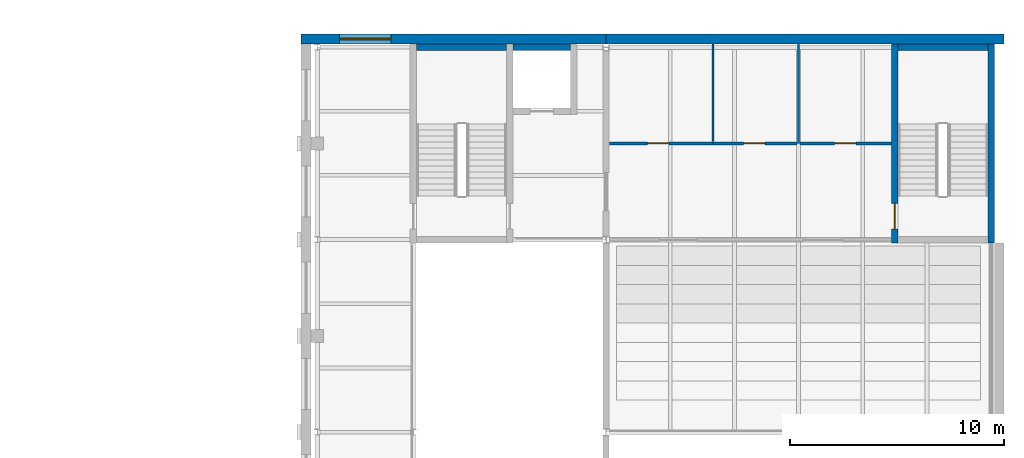
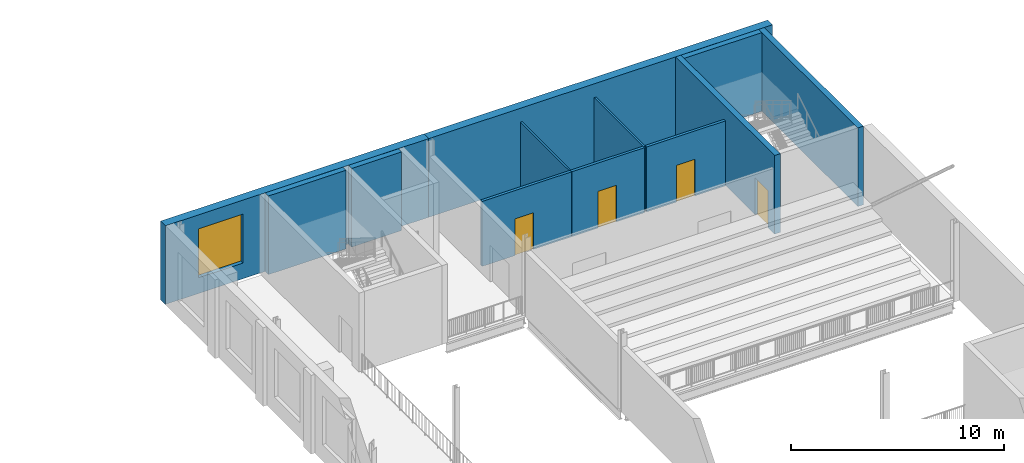
# One storey, part 47 of 74: 12 walls, 4 doors, 1 window, 5 openings.
"""IFC4 building model written with IfcOpenShell, lengths in metres."""

from ifc_helpers import new_model, si_unit, direction, frame, frame_2d, origin, place, context, subcontext, project, spatial, rectangle, extrude, material, layer, layer_set, type_object, element, fill, save


model = new_model("IFC4")

# Units and contexts
model_context = context("Model", 3, precision=1e-05, world=origin(), true_north=direction((0.0, 1.0)))
body_context = subcontext(model_context, "Body", "Model", "MODEL_VIEW")
ifc_project = project(units=[si_unit("LENGTHUNIT", "METRE"), si_unit("AREAUNIT", "SQUARE_METRE"), si_unit("VOLUMEUNIT", "CUBIC_METRE"), si_unit("PLANEANGLEUNIT", "RADIAN"), si_unit("MASSUNIT", "GRAM", prefix="KILO")], contexts=[model_context])

# Site, building, storey
site_placement = place(None, origin())
site = spatial("IfcSite", under=ifc_project, at=site_placement, CompositionType="ELEMENT")
building_placement = place(site_placement, origin())
building = spatial("IfcBuilding", under=site, at=building_placement, Name="Hortulan Conservatory and Botanical Research Centre", CompositionType="ELEMENT")
storey_placement = place(building_placement, frame((0.0, 0.0, 6.0)))
storey = spatial("IfcBuildingStorey", under=building, at=storey_placement, Name="L01", CompositionType="ELEMENT", Elevation=6.0)

# Wall, opening, door
ifc_material_1 = material(Name="Concrete N40 (40 MPa, AS 3600)", Category="concrete")
ifc_layer_1 = layer(ifc_material_1, 0.300048828125)
ifc_layer_set_1 = layer_set([ifc_layer_1], Name="Core Wall 300 N40 FRL 120/120/120")
wall_type_1 = type_object("IfcWallType", Name="Core Wall 300 N40 FRL 120/120/120", PredefinedType="SHEAR", material=ifc_layer_set_1)
wall_1_placement = place(storey_placement, frame((103.5, 62.85009765625, 0.0), z_axis=(0.0, 0.0, 1.0), x_axis=(0.0, 1.0, 0.0)))
wall_1 = element("IfcWall", 1, at=wall_1_placement, inside=storey, type_object=wall_type_1, Name="Reinforced concrete shaft wall", PredefinedType="SHEAR", context=body_context, shape_type="SweptSolid", body=[
    extrude(rectangle(XDim=9.2998046875, YDim=0.300048828125, at=frame_2d((4.64990234375, 0.0))), origin(), (0.0, 0.0, 1.0), 4.5),
])
opening_1_placement = place(wall_1_placement, frame((0.64990234375, 0.0, 0.0)))
opening_1 = element("IfcOpeningElement", 2, at=opening_1_placement, cuts=wall_1, Name="Opening DT5", PredefinedType="OPENING", context=body_context, shape_type="SweptSolid", body=[
    extrude(rectangle(XDim=1.199951171875, YDim=2.10009765625, at=frame_2d((0.60009765625, 1.050048828125))), frame((0.0, 0.159912109375, 0.0), z_axis=(0.0, -1.0, 0.0), x_axis=(1.0, 0.0, 0.0)), (0.0, 0.0, 1.0), 0.320068359375),
])
ifc_material_2 = material(Name="Steel door leaf, insulated", Category="steel")
door_type_1 = type_object("IfcDoorType", Name="Stair Door 1200x2100 FRL -/120/30", OperationType="NOTDEFINED", PredefinedType="DOOR", material=ifc_material_2)
door_1_placement = place(opening_1_placement, frame((1.199951171875, 0.0, 0.0), z_axis=(0.0, 0.0, 1.0), x_axis=(-1.0, 0.0, 0.0)))
door_1 = element("IfcDoor", 3, at=door_1_placement, inside=storey, type_object=door_type_1, Name="Stair door A3 L01 W to Circle Rear Lobby", OperationType="SINGLE_SWING_RIGHT", OverallHeight=2.10009765625, OverallWidth=1.199951171875, PredefinedType="DOOR", context=body_context, shape_type="SweptSolid", body=[
    extrude(rectangle(XDim=1.199951171875, YDim=2.10009765625, at=frame_2d((0.60009765625, 1.050048828125))), frame((0.0, 0.02490234375, 0.0), z_axis=(0.0, -1.0, 0.0), x_axis=(1.0, 0.0, 0.0)), (0.0, 0.0, 1.0), 0.050048828125),
])
fill(opening_1, door_1)

# Walls
wall_2_placement = place(storey_placement, frame((108.0, 62.85009765625, 0.0), z_axis=(0.0, 0.0, 1.0), x_axis=(0.0, 1.0, 0.0)))
element("IfcWall", 4, at=wall_2_placement, inside=storey, type_object=wall_type_1, Name="Reinforced concrete shaft wall", PredefinedType="SHEAR", context=body_context, shape_type="SweptSolid", body=[
    extrude(rectangle(XDim=9.2998046875, YDim=0.300048828125, at=frame_2d((4.64990234375, 0.0))), origin(), (0.0, 0.0, 1.0), 4.5),
])
wall_3_placement = place(storey_placement, frame((81.14990234375, 72.0, 0.0), z_axis=(0.0, 0.0, 1.0), x_axis=(1.0, 0.0, 0.0)))
element("IfcWall", 5, at=wall_3_placement, inside=storey, type_object=wall_type_1, Name="Reinforced concrete shaft wall", PredefinedType="SHEAR", context=body_context, shape_type="SweptSolid", body=[
    extrude(rectangle(XDim=4.2001953125, YDim=0.300048828125, at=frame_2d((2.10009765625, 0.0))), origin(), (0.0, 0.0, 1.0), 4.5),
])
wall_4_placement = place(storey_placement, frame((85.64990234375, 72.0, 0.0), z_axis=(0.0, 0.0, 1.0), x_axis=(1.0, 0.0, 0.0)))
element("IfcWall", 6, at=wall_4_placement, inside=storey, type_object=wall_type_1, Name="Reinforced concrete shaft wall", PredefinedType="SHEAR", context=body_context, shape_type="SweptSolid", body=[
    extrude(rectangle(XDim=2.7001953125, YDim=0.300048828125, at=frame_2d((1.35009765625, 0.0))), origin(), (0.0, 0.0, 1.0), 4.5),
])
wall_5_placement = place(storey_placement, frame((103.64990234375, 72.0, 0.0), z_axis=(0.0, 0.0, 1.0), x_axis=(1.0, 0.0, 0.0)))
element("IfcWall", 7, at=wall_5_placement, inside=storey, type_object=wall_type_1, Name="Reinforced concrete shaft wall", PredefinedType="SHEAR", context=body_context, shape_type="SweptSolid", body=[
    extrude(rectangle(XDim=4.2001953125, YDim=0.300048828125, at=frame_2d((2.10009765625, 0.0))), origin(), (0.0, 0.0, 1.0), 4.5),
])

# Wall, opening, door
ifc_material_3 = material(Name="Fire-rated plasterboard on steel studs", Category="steel")
ifc_layer_2 = layer(ifc_material_3, 0.14990234375)
ifc_layer_set_2 = layer_set([ifc_layer_2], Name="Lobby Partition 150")
wall_type_2 = type_object("IfcWallType", Name="Lobby Partition 150", PredefinedType="PARTITIONING", material=ifc_layer_set_2)
wall_6_placement = place(storey_placement, frame((90.159912109375, 67.5, 0.0), z_axis=(0.0, 0.0, 1.0), x_axis=(1.0, 0.0, 0.0)))
wall_6 = element("IfcWall", 8, at=wall_6_placement, inside=storey, type_object=wall_type_2, Name="Partition Circle Rear Lobby and Women's WC L01", PredefinedType="PARTITIONING", context=body_context, shape_type="SweptSolid", body=[
    extrude(rectangle(XDim=4.840087890625, YDim=0.14990234375, at=frame_2d((2.419921875, 0.0))), origin(), (0.0, 0.0, 1.0), 3.718017578125),
])
opening_2_placement = place(wall_6_placement, frame((1.778076171875, 0.0, 0.0)))
opening_2 = element("IfcOpeningElement", 9, at=opening_2_placement, cuts=wall_6, Name="Opening DT4", PredefinedType="OPENING", context=body_context, shape_type="SweptSolid", body=[
    extrude(rectangle(XDim=1.0, YDim=2.10009765625, at=frame_2d((0.5, 1.050048828125))), frame((0.0, 0.0849609375, 0.0), z_axis=(0.0, -1.0, 0.0), x_axis=(1.0, 0.0, 0.0)), (0.0, 0.0, 1.0), 0.169921875),
])
door_type_2 = type_object("IfcDoorType", Name="Fire Door 1000x2100 FRL -/60/30", OperationType="NOTDEFINED", PredefinedType="DOOR", material=ifc_material_2)
door_2_placement = place(opening_2_placement, origin())
door_2 = element("IfcDoor", 10, at=door_2_placement, inside=storey, type_object=door_type_2, Name="Door DT4 Women's WC to Circle Rear Lobby", OperationType="SINGLE_SWING_LEFT", OverallHeight=2.10009765625, OverallWidth=1.0, PredefinedType="DOOR", context=body_context, shape_type="SweptSolid", body=[
    extrude(rectangle(XDim=1.0, YDim=2.10009765625, at=frame_2d((0.5, 1.050048828125))), frame((0.0, 0.02490234375, 0.0), z_axis=(0.0, -1.0, 0.0), x_axis=(1.0, 0.0, 0.0)), (0.0, 0.0, 1.0), 0.050048828125),
])
fill(opening_2, door_2)

wall_7_placement = place(storey_placement, frame((95.010009765625, 67.5, 0.0), z_axis=(0.0, 0.0, 1.0), x_axis=(1.0, 0.0, 0.0)))
wall_7 = element("IfcWall", 11, at=wall_7_placement, inside=storey, type_object=wall_type_2, Name="Partition Circle Rear Lobby and Men's WC L01", PredefinedType="PARTITIONING", context=body_context, shape_type="SweptSolid", body=[
    extrude(rectangle(XDim=3.929931640625, YDim=0.14990234375, at=frame_2d((1.96484375, 0.0))), origin(), (0.0, 0.0, 1.0), 3.718017578125),
])
opening_3_placement = place(wall_7_placement, frame((1.42822265625, 0.0, 0.0)))
opening_3 = element("IfcOpeningElement", 12, at=opening_3_placement, cuts=wall_7, Name="Opening DT4", PredefinedType="OPENING", context=body_context, shape_type="SweptSolid", body=[
    extrude(rectangle(XDim=1.0, YDim=2.10009765625, at=frame_2d((0.5, 1.050048828125))), frame((0.0, 0.0849609375, 0.0), z_axis=(0.0, -1.0, 0.0), x_axis=(1.0, 0.0, 0.0)), (0.0, 0.0, 1.0), 0.169921875),
])
door_3_placement = place(opening_3_placement, origin())
door_3 = element("IfcDoor", 13, at=door_3_placement, inside=storey, type_object=door_type_2, Name="Door DT4 Men's WC to Circle Rear Lobby", OperationType="SINGLE_SWING_LEFT", OverallHeight=2.10009765625, OverallWidth=1.0, PredefinedType="DOOR", context=body_context, shape_type="SweptSolid", body=[
    extrude(rectangle(XDim=1.0, YDim=2.10009765625, at=frame_2d((0.5, 1.050048828125))), frame((0.0, 0.02490234375, 0.0), z_axis=(0.0, -1.0, 0.0), x_axis=(1.0, 0.0, 0.0)), (0.0, 0.0, 1.0), 0.050048828125),
])
fill(opening_3, door_3)

wall_8_placement = place(storey_placement, frame((99.06005859375, 67.5, 0.0), z_axis=(0.0, 0.0, 1.0), x_axis=(1.0, 0.0, 0.0)))
wall_8 = element("IfcWall", 14, at=wall_8_placement, inside=storey, type_object=wall_type_2, Name="Partition Circle Rear Lobby and Accessible WC L01", PredefinedType="PARTITIONING", context=body_context, shape_type="SweptSolid", body=[
    extrude(rectangle(XDim=4.280029296875, YDim=0.14990234375, at=frame_2d((2.14013671875, 0.0))), origin(), (0.0, 0.0, 1.0), 3.718017578125),
])
opening_4_placement = place(wall_8_placement, frame((1.628173828125, 0.0, 0.0)))
opening_4 = element("IfcOpeningElement", 15, at=opening_4_placement, cuts=wall_8, Name="Opening DT4", PredefinedType="OPENING", context=body_context, shape_type="SweptSolid", body=[
    extrude(rectangle(XDim=1.0, YDim=2.10009765625, at=frame_2d((0.5, 1.050048828125))), frame((0.0, 0.0849609375, 0.0), z_axis=(0.0, -1.0, 0.0), x_axis=(1.0, 0.0, 0.0)), (0.0, 0.0, 1.0), 0.169921875),
])
door_4_placement = place(opening_4_placement, origin())
door_4 = element("IfcDoor", 16, at=door_4_placement, inside=storey, type_object=door_type_2, Name="Door DT4 Accessible WC to Circle Rear Lobby", OperationType="SINGLE_SWING_LEFT", OverallHeight=2.10009765625, OverallWidth=1.0, PredefinedType="DOOR", context=body_context, shape_type="SweptSolid", body=[
    extrude(rectangle(XDim=1.0, YDim=2.10009765625, at=frame_2d((0.5, 1.050048828125))), frame((0.0, 0.02490234375, 0.0), z_axis=(0.0, -1.0, 0.0), x_axis=(1.0, 0.0, 0.0)), (0.0, 0.0, 1.0), 0.050048828125),
])
fill(opening_4, door_4)

# Wall, opening, window
ifc_material_4 = material(Name="Sandstone masonry (Hawkesbury yellow block)", Category="masonry")
ifc_layer_3 = layer(ifc_material_4, 0.449951171875)
ifc_layer_set_3 = layer_set([ifc_layer_3], Name="Sandstone Masonry Cavity Wall 450")
wall_type_3 = type_object("IfcWallType", Name="Sandstone Masonry Cavity Wall 450", PredefinedType="STANDARD", material=ifc_layer_set_3)
wall_9_placement = place(storey_placement, frame((75.75, 72.37939453125, 0.0), z_axis=(0.0, 0.0, 1.0), x_axis=(1.0, 0.0, 0.0)))
wall_9 = element("IfcWall", 17, at=wall_9_placement, inside=storey, type_object=wall_type_3, Name="E-EW-AUD-L01-FN3", PredefinedType="STANDARD", context=body_context, shape_type="SweptSolid", body=[
    extrude(rectangle(XDim=14.25, YDim=0.449951171875, at=frame_2d((7.125, 0.0))), origin(), (0.0, 0.0, 1.0), 4.5),
])
opening_5_placement = place(wall_9_placement, frame((1.800048828125, 0.0, 0.89990234375)))
opening_5 = element("IfcOpeningElement", 18, at=opening_5_placement, cuts=wall_9, Name="Opening W2", PredefinedType="OPENING", context=body_context, shape_type="SweptSolid", body=[
    extrude(rectangle(XDim=2.39990234375, YDim=2.800048828125, at=frame_2d((1.199951171875, 1.39990234375))), frame((0.0, 0.23486328125, 0.0), z_axis=(0.0, -1.0, 0.0), x_axis=(1.0, 0.0, 0.0)), (0.0, 0.0, 1.0), 0.469970703125),
])
ifc_material_5 = material(Name="Bronze-finished aluminium frame with low-e laminated double glazing", Category="aluminium")
window_type = type_object("IfcWindowType", Name="Sandstone Window 2400x2800", PartitioningType="SINGLE_PANEL", PredefinedType="WINDOW", material=ifc_material_5)
window_placement = place(opening_5_placement, origin())
window = element("IfcWindow", 19, at=window_placement, inside=storey, type_object=window_type, Name="Sandstone window", OverallHeight=2.800048828125, OverallWidth=2.39990234375, PartitioningType="SINGLE_PANEL", PredefinedType="WINDOW", context=body_context, shape_type="SweptSolid", body=[
    extrude(rectangle(XDim=2.39990234375, YDim=2.800048828125, at=frame_2d((1.199951171875, 1.39990234375))), frame((0.0, 0.030029296875, 0.0), z_axis=(0.0, -1.0, 0.0), x_axis=(1.0, 0.0, 0.0)), (0.0, 0.0, 1.0), 0.06005859375),
])
fill(opening_5, window)

# Walls
wall_10_placement = place(storey_placement, frame((90.0, 72.37939453125, 0.0), z_axis=(0.0, 0.0, 1.0), x_axis=(1.0, 0.0, 0.0)))
element("IfcWall", 20, at=wall_10_placement, inside=storey, type_object=wall_type_3, Name="E-EW-AUD-L01-HN2p1", PredefinedType="STANDARD", context=body_context, shape_type="SweptSolid", body=[
    extrude(rectangle(XDim=18.6044921875, YDim=0.449951171875, at=frame_2d((9.30224609375, 0.0))), origin(), (0.0, 0.0, 1.0), 4.5),
])
ifc_material_6 = material(Name="Moisture-resistant plasterboard on steel studs", Category="steel")
ifc_layer_4 = layer(ifc_material_6, 0.10009765625)
ifc_layer_set_4 = layer_set([ifc_layer_4], Name="Wet Area Partition 100")
wall_type_4 = type_object("IfcWallType", Name="Wet Area Partition 100", PredefinedType="PARTITIONING", material=ifc_layer_set_4)
wall_11_placement = place(storey_placement, frame((95.0, 67.5849609375, 0.0), z_axis=(0.0, 0.0, 1.0), x_axis=(0.0, 1.0, 0.0)))
element("IfcWall", 21, at=wall_11_placement, inside=storey, type_object=wall_type_4, Name="Partition Women's WC and Men's WC L01", PredefinedType="PARTITIONING", context=body_context, shape_type="SweptSolid", body=[
    extrude(rectangle(XDim=4.5595703125, YDim=0.10009765625, at=frame_2d((2.27978515625, 0.0))), origin(), (0.0, 0.0, 1.0), 3.718017578125),
])
wall_12_placement = place(storey_placement, frame((99.0, 67.5, 0.0), z_axis=(0.0, 0.0, 1.0), x_axis=(0.0, 1.0, 0.0)))
element("IfcWall", 22, at=wall_12_placement, inside=storey, type_object=wall_type_4, Name="Partition Men's WC and Accessible WC L01", PredefinedType="PARTITIONING", context=body_context, shape_type="SweptSolid", body=[
    extrude(rectangle(XDim=4.64453125, YDim=0.10009765625, at=frame_2d((2.322265625, 0.0))), origin(), (0.0, 0.0, 1.0), 3.718017578125),
])

save(model, "model.ifc")
